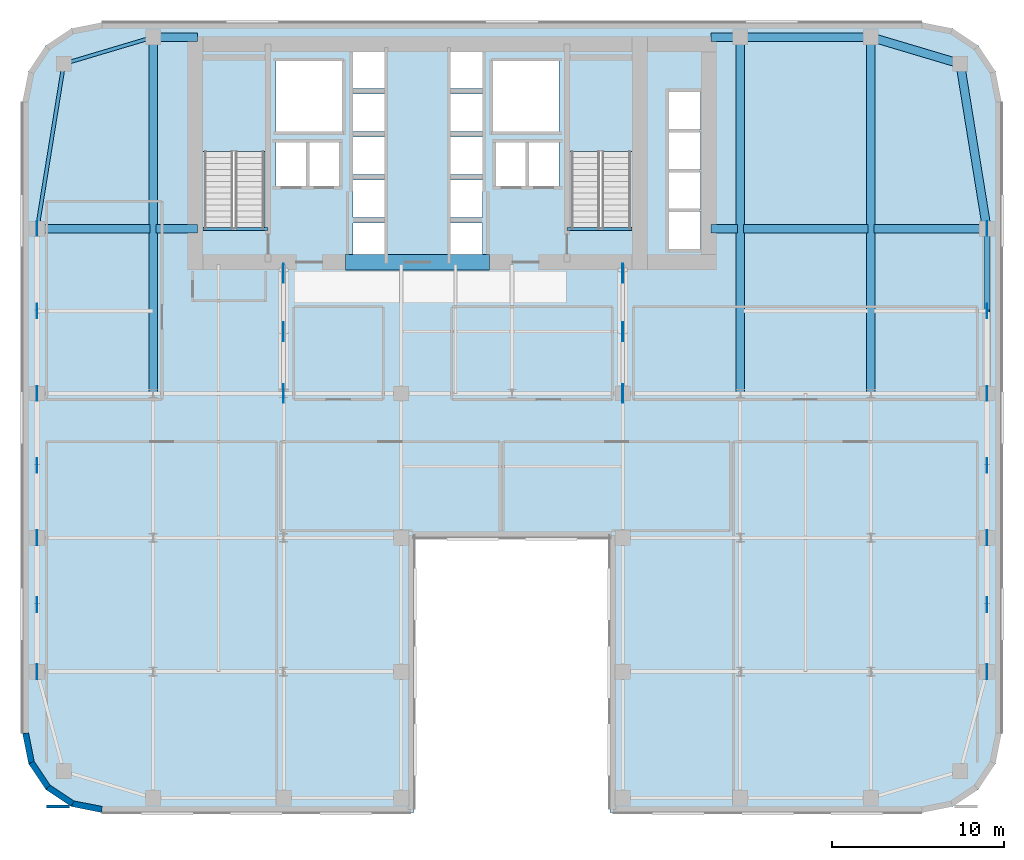
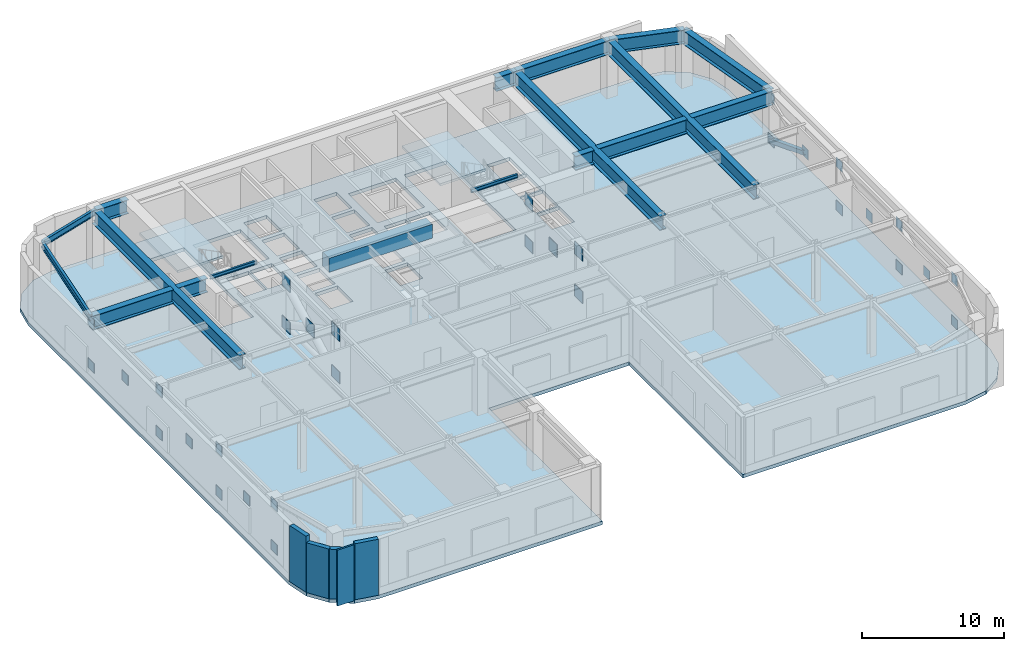
# One storey, part 3 of 11: 32 plates, 18 beams, 5 walls, 3 slabs, 1 member, 2 elements without a shape of their own.
"""IFC4 building model written with IfcOpenShell, lengths in metres."""

from ifc_helpers import new_model, si_unit, direction, frame, frame_2d, origin, origin_2d, place, context, subcontext, project, spatial, polyline, rectangle, hollow_rectangle, i_section, outline, extrude, source, transform, mapped, material, layer, layer_set, material_profile, profile_set, type_object, type_shapes, element, aggregate, save


model = new_model("IFC4")

# Units and contexts
model_context = context("Model", 3, precision=1e-05, world=origin(), true_north=direction((0.0, 1.0)))
body_context = subcontext(model_context, "Body", "Model", "MODEL_VIEW")
ifc_project = project(units=[si_unit("LENGTHUNIT", "METRE"), si_unit("AREAUNIT", "SQUARE_METRE"), si_unit("VOLUMEUNIT", "CUBIC_METRE"), si_unit("PLANEANGLEUNIT", "RADIAN"), si_unit("MASSUNIT", "GRAM", prefix="KILO")], contexts=[model_context])

# Site, building, storey
site_placement = place(None, origin())
site = spatial("IfcSite", under=ifc_project, at=site_placement, CompositionType="ELEMENT")
building_placement = place(site_placement, origin())
building = spatial("IfcBuilding", under=site, at=building_placement, Name="Tolvann Quenvar Hotel", CompositionType="ELEMENT")
storey_placement = place(building_placement, frame((0.0, 0.0, 95.89990234375)))
storey = spatial("IfcBuildingStorey", under=building, at=storey_placement, Name="L24", CompositionType="ELEMENT", Elevation=95.89990234375)

# Beams
ifc_material_1 = material(Name="Concrete S80 (80 MPa)", Category="concrete")
ifc_material_profile_1 = material_profile(ifc_material_1, rectangle(XDim=0.89990234375, YDim=1.199951171875, at=origin_2d()), Name="RC900x1200")
ifc_profile_set_1 = profile_set([ifc_material_profile_1], Name="Concrete S80 (80 MPa)")
beam_type_1 = type_object("IfcBeamType", Name="BM_LINT_RC900x1200", PredefinedType="LINTEL", material=ifc_profile_set_1)
shared_shape_1 = source(origin(), body_context, "Body", "SweptSolid", [
    extrude(rectangle(XDim=0.89990234375, YDim=1.199951171875, at=origin_2d()), origin(), (0.0, 0.0, 1.0), 8.39990234375),
])
type_shapes(beam_type_1, [shared_shape_1])
beam_1_placement = place(storey_placement, frame((18.800048828125, 32.050048828125, 4.22021484375), z_axis=(1.0, 0.0, 0.0), x_axis=(0.0, 1.0, 0.0)))
element("IfcBeam", 1, at=beam_1_placement, inside=storey, type_object=beam_type_1, Name="Core Coupling Lintel Beam (L24)", PredefinedType="LINTEL", context=body_context, shape_type="MappedRepresentation", body=[
    mapped(shared_shape_1, transform((0.0, 0.0, 0.0), x_axis=(1.0, 0.0, 0.0), y_axis=(0.0, 1.0, 0.0), z_axis=(0.0, 0.0, 1.0), scale=1.0)),
])
ifc_material_2 = material(Name="Steel Grade 350", Category="steel")
ifc_material_profile_2 = material_profile(ifc_material_2, i_section(OverallWidth=0.5, OverallDepth=1.199951171875, WebThickness=0.01611328125, FlangeThickness=0.0400390625, at=origin_2d()), Name="1200WB455")
ifc_profile_set_2 = profile_set([ifc_material_profile_2], Name="Steel Grade 350")
beam_type_2 = type_object("IfcBeamType", Name="BM_TG_1200WB455", PredefinedType="USERDEFINED", material=ifc_profile_set_2)
shared_shape_2 = source(origin(), body_context, "Body", "SweptSolid", [
    extrude(i_section(OverallWidth=0.5, OverallDepth=1.199951171875, WebThickness=0.01611328125, FlangeThickness=0.0400390625, at=origin_2d()), origin(), (0.0, 0.0, 1.0), 7.599853515625),
])
beam_2_placement = place(storey_placement, frame((49.39990234375, 45.14990234375, 4.22021484375), z_axis=(-1.0, 0.0, 0.0), x_axis=(0.0, -1.0, 0.0)))
element("IfcBeam", 2, at=beam_2_placement, inside=storey, type_object=beam_type_2, Name="BM-L24-FLK-E4", ObjectType="TRANSFER GIRDER", PredefinedType="USERDEFINED", context=body_context, shape_type="MappedRepresentation", body=[
    mapped(shared_shape_2, transform((0.0, 0.0, 0.0), x_axis=(1.0, 0.0, 0.0), y_axis=(0.0, 1.0, 0.0), z_axis=(0.0, 0.0, 1.0), scale=1.0)),
])
ifc_material_profile_3 = material_profile(ifc_material_2, i_section(OverallWidth=0.208984375, OverallDepth=0.528076171875, WebThickness=0.009521484375, FlangeThickness=0.01318359375, FilletRadius=0.013916015625, at=origin_2d()), Name="530UB82")
ifc_profile_set_3 = profile_set([ifc_material_profile_3], Name="Steel Grade 350")
beam_type_3 = type_object("IfcBeamType", Name="BM_SPAND_530UB82", PredefinedType="SPANDREL", material=ifc_profile_set_3)
shared_shape_3 = source(origin(), body_context, "Body", "SweptSolid", [
    extrude(i_section(OverallWidth=0.208984375, OverallDepth=0.528076171875, WebThickness=0.009521484375, FlangeThickness=0.01318359375, FilletRadius=0.013916015625, at=origin_2d()), origin(), (0.0, 0.0, 1.0), 5.42626953125),
])
beam_3_placement = place(storey_placement, frame((2.39990234375, 43.60009765625, 4.55615234375), z_axis=(0.958344815522, 0.285613750654, 0.0), x_axis=(-0.285613750654, 0.958344815522, 0.0)))
element("IfcBeam", 3, at=beam_3_placement, inside=storey, type_object=beam_type_3, Name="BM-L24-FLK-W3", PredefinedType="SPANDREL", context=body_context, shape_type="MappedRepresentation", body=[
    mapped(shared_shape_3, transform((0.0, 0.0, 0.0), x_axis=(1.0, 0.0, 0.0), y_axis=(0.0, 1.0, 0.0), z_axis=(0.0, 0.0, 1.0), scale=1.0)),
])
shared_shape_4 = source(origin(), body_context, "Body", "SweptSolid", [
    extrude(i_section(OverallWidth=0.208984375, OverallDepth=0.528076171875, WebThickness=0.009521484375, FlangeThickness=0.01318359375, FilletRadius=0.013916015625, at=origin_2d()), origin(), (0.0, 0.0, 1.0), 9.724365234375),
])
type_shapes(beam_type_3, [shared_shape_3, shared_shape_4])
beam_4_placement = place(storey_placement, frame((0.85009765625, 34.0, 4.55615234375), z_axis=(0.159372939192, 0.987218449105, 0.0), x_axis=(-0.987218449105, 0.159372939192, 0.0)))
element("IfcBeam", 4, at=beam_4_placement, inside=storey, type_object=beam_type_3, Name="BM-L24-FLK-W2", PredefinedType="SPANDREL", context=body_context, shape_type="MappedRepresentation", body=[
    mapped(shared_shape_4, transform((0.0, 0.0, 0.0), x_axis=(1.0, 0.0, 0.0), y_axis=(0.0, 1.0, 0.0), z_axis=(0.0, 0.0, 1.0), scale=1.0)),
])
shared_shape_5 = source(origin(), body_context, "Body", "SweptSolid", [
    extrude(i_section(OverallWidth=0.5, OverallDepth=1.199951171875, WebThickness=0.01611328125, FlangeThickness=0.0400390625, at=origin_2d()), origin(), (0.0, 0.0, 1.0), 20.75),
])
for number, where, z_axis, x_axis, name in (
    (5, (7.60009765625, 24.39990234375, 4.22021484375), (0.0, 1.0, 0.0), (-1.0, 0.0, 0.0), "BM-L24-FLK-WC"),
    (6, (41.800048828125, 24.39990234375, 4.22021484375), (0.0, 1.0, 0.0), (-1.0, 0.0, 0.0), "BM-L24-FLK-EH"),
    (7, (49.39990234375, 24.39990234375, 4.22021484375), (0.0, 1.0, 0.0), (-1.0, 0.0, 0.0), "BM-L24-FLK-EI"),
):
    element("IfcBeam", number, at=place(storey_placement, frame(where, z_axis=z_axis, x_axis=x_axis)), inside=storey, type_object=beam_type_2, Name=name, ObjectType="TRANSFER GIRDER", PredefinedType="USERDEFINED", context=body_context, shape_type="MappedRepresentation", body=[
        mapped(shared_shape_5, transform((0.0, 0.0, 0.0), x_axis=(1.0, 0.0, 0.0), y_axis=(0.0, 1.0, 0.0), z_axis=(0.0, 0.0, 1.0), scale=1.0)),
    ])
shared_shape_6 = source(origin(), body_context, "Body", "SweptSolid", [
    extrude(i_section(OverallWidth=0.5, OverallDepth=1.199951171875, WebThickness=0.01611328125, FlangeThickness=0.0400390625, at=origin_2d()), origin(), (0.0, 0.0, 1.0), 6.56982421875),
])
for number, where, z_axis, x_axis, name in (
    (8, (0.85009765625, 34.0, 4.22021484375), (1.0, 0.0, 0.0), (0.0, 1.0, 0.0), "BM-L24-CTW-MID1"),
    (9, (49.580078125, 34.0, 4.22021484375), (1.0, 0.0, 0.0), (0.0, 1.0, 0.0), "BM-L24-CTE-JD6C"),
):
    element("IfcBeam", number, at=place(storey_placement, frame(where, z_axis=z_axis, x_axis=x_axis)), inside=storey, type_object=beam_type_2, Name=name, ObjectType="TRANSFER GIRDER", PredefinedType="USERDEFINED", context=body_context, shape_type="MappedRepresentation", body=[
        mapped(shared_shape_6, transform((0.0, 0.0, 0.0), x_axis=(1.0, 0.0, 0.0), y_axis=(0.0, 1.0, 0.0), z_axis=(0.0, 0.0, 1.0), scale=1.0)),
    ])
shared_shape_7 = source(origin(), body_context, "Body", "SweptSolid", [
    extrude(i_section(OverallWidth=0.5, OverallDepth=1.199951171875, WebThickness=0.01611328125, FlangeThickness=0.0400390625, at=origin_2d()), origin(), (0.0, 0.0, 1.0), 2.419921875),
])
beam_5_placement = place(storey_placement, frame((7.780029296875, 34.0, 4.22021484375), z_axis=(1.0, 0.0, 0.0), x_axis=(0.0, 1.0, 0.0)))
element("IfcBeam", 10, at=beam_5_placement, inside=storey, type_object=beam_type_2, Name="BM-L24-CTW-MID2", ObjectType="TRANSFER GIRDER", PredefinedType="USERDEFINED", context=body_context, shape_type="MappedRepresentation", body=[
    mapped(shared_shape_7, transform((0.0, 0.0, 0.0), x_axis=(1.0, 0.0, 0.0), y_axis=(0.0, 1.0, 0.0), z_axis=(0.0, 0.0, 1.0), scale=1.0)),
])
shared_shape_8 = source(origin(), body_context, "Body", "SweptSolid", [
    extrude(i_section(OverallWidth=0.5, OverallDepth=1.199951171875, WebThickness=0.01611328125, FlangeThickness=0.0400390625, at=origin_2d()), origin(), (0.0, 0.0, 1.0), 2.599853515625),
])
beam_6_placement = place(storey_placement, frame((7.60009765625, 45.14990234375, 4.22021484375), z_axis=(1.0, 0.0, 0.0), x_axis=(0.0, 1.0, 0.0)))
element("IfcBeam", 11, at=beam_6_placement, inside=storey, type_object=beam_type_2, Name="BM-L24-CTW-CN", ObjectType="TRANSFER GIRDER", PredefinedType="USERDEFINED", context=body_context, shape_type="MappedRepresentation", body=[
    mapped(shared_shape_8, transform((0.0, 0.0, 0.0), x_axis=(1.0, 0.0, 0.0), y_axis=(0.0, 1.0, 0.0), z_axis=(0.0, 0.0, 1.0), scale=1.0)),
])
shared_shape_9 = source(origin(), body_context, "Body", "SweptSolid", [
    extrude(i_section(OverallWidth=0.5, OverallDepth=1.199951171875, WebThickness=0.01611328125, FlangeThickness=0.0400390625, at=origin_2d()), origin(), (0.0, 0.0, 1.0), 9.724365234375),
])
beam_7_placement = place(storey_placement, frame((56.14990234375, 34.0, 4.22021484375), z_axis=(-0.159372939192, 0.987218449105, 0.0), x_axis=(-0.987218449105, -0.159372939192, 0.0)))
element("IfcBeam", 12, at=beam_7_placement, inside=storey, type_object=beam_type_2, Name="BM-L24-FLK-E2", ObjectType="TRANSFER GIRDER", PredefinedType="USERDEFINED", context=body_context, shape_type="MappedRepresentation", body=[
    mapped(shared_shape_9, transform((0.0, 0.0, 0.0), x_axis=(1.0, 0.0, 0.0), y_axis=(0.0, 1.0, 0.0), z_axis=(0.0, 0.0, 1.0), scale=1.0)),
])
shared_shape_10 = source(origin(), body_context, "Body", "SweptSolid", [
    extrude(i_section(OverallWidth=0.5, OverallDepth=1.199951171875, WebThickness=0.01611328125, FlangeThickness=0.0400390625, at=origin_2d()), origin(), (0.0, 0.0, 1.0), 5.42626953125),
])
beam_8_placement = place(storey_placement, frame((54.60009765625, 43.60009765625, 4.22021484375), z_axis=(-0.958344815522, 0.285613750654, 0.0), x_axis=(-0.285613750654, -0.958344815522, 0.0)))
element("IfcBeam", 13, at=beam_8_placement, inside=storey, type_object=beam_type_2, Name="BM-L24-FLK-E3", ObjectType="TRANSFER GIRDER", PredefinedType="USERDEFINED", context=body_context, shape_type="MappedRepresentation", body=[
    mapped(shared_shape_10, transform((0.0, 0.0, 0.0), x_axis=(1.0, 0.0, 0.0), y_axis=(0.0, 1.0, 0.0), z_axis=(0.0, 0.0, 1.0), scale=1.0)),
])
shared_shape_11 = source(origin(), body_context, "Body", "SweptSolid", [
    extrude(i_section(OverallWidth=0.5, OverallDepth=1.199951171875, WebThickness=0.01611328125, FlangeThickness=0.0400390625, at=origin_2d()), origin(), (0.0, 0.0, 1.0), 1.699951171875),
])
beam_9_placement = place(storey_placement, frame((40.10009765625, 45.14990234375, 4.22021484375), z_axis=(1.0, 0.0, 0.0), x_axis=(0.0, 1.0, 0.0)))
element("IfcBeam", 14, at=beam_9_placement, inside=storey, type_object=beam_type_2, Name="BM-L24-CTE-HN", ObjectType="TRANSFER GIRDER", PredefinedType="USERDEFINED", context=body_context, shape_type="MappedRepresentation", body=[
    mapped(shared_shape_11, transform((0.0, 0.0, 0.0), x_axis=(1.0, 0.0, 0.0), y_axis=(0.0, 1.0, 0.0), z_axis=(0.0, 0.0, 1.0), scale=1.0)),
])
shared_shape_12 = source(origin(), body_context, "Body", "SweptSolid", [
    extrude(i_section(OverallWidth=0.5, OverallDepth=1.199951171875, WebThickness=0.01611328125, FlangeThickness=0.0400390625, at=origin_2d()), origin(), (0.0, 0.0, 1.0), 1.52001953125),
])
beam_10_placement = place(storey_placement, frame((40.10009765625, 34.0, 4.22021484375), z_axis=(1.0, 0.0, 0.0), x_axis=(0.0, 1.0, 0.0)))
element("IfcBeam", 15, at=beam_10_placement, inside=storey, type_object=beam_type_2, Name="BM-L24-CTE-JD6A", ObjectType="TRANSFER GIRDER", PredefinedType="USERDEFINED", context=body_context, shape_type="MappedRepresentation", body=[
    mapped(shared_shape_12, transform((0.0, 0.0, 0.0), x_axis=(1.0, 0.0, 0.0), y_axis=(0.0, 1.0, 0.0), z_axis=(0.0, 0.0, 1.0), scale=1.0)),
])
shared_shape_13 = source(origin(), body_context, "Body", "SweptSolid", [
    extrude(i_section(OverallWidth=0.5, OverallDepth=1.199951171875, WebThickness=0.01611328125, FlangeThickness=0.0400390625, at=origin_2d()), origin(), (0.0, 0.0, 1.0), 7.239990234375),
])
type_shapes(beam_type_2, [shared_shape_2, shared_shape_5, shared_shape_6, shared_shape_7, shared_shape_8, shared_shape_9, shared_shape_10, shared_shape_11, shared_shape_12, shared_shape_13])
beam_11_placement = place(storey_placement, frame((41.97998046875, 34.0, 4.22021484375), z_axis=(1.0, 0.0, 0.0), x_axis=(0.0, 1.0, 0.0)))
element("IfcBeam", 16, at=beam_11_placement, inside=storey, type_object=beam_type_2, Name="BM-L24-CTE-JD6B", ObjectType="TRANSFER GIRDER", PredefinedType="USERDEFINED", context=body_context, shape_type="MappedRepresentation", body=[
    mapped(shared_shape_13, transform((0.0, 0.0, 0.0), x_axis=(1.0, 0.0, 0.0), y_axis=(0.0, 1.0, 0.0), z_axis=(0.0, 0.0, 1.0), scale=1.0)),
])
ifc_material_profile_4 = material_profile(ifc_material_2, i_section(OverallWidth=0.166015625, OverallDepth=0.306884765625, WebThickness=0.006591796875, FlangeThickness=0.01171875, FilletRadius=0.011474609375, at=origin_2d()), Name="310UB46")
ifc_profile_set_4 = profile_set([ifc_material_profile_4], Name="Steel Grade 350")
beam_type_4 = type_object("IfcBeamType", Name="BM_JOIST_310UB46", PredefinedType="JOIST", material=ifc_profile_set_4)
shared_shape_14 = source(origin(), body_context, "Body", "SweptSolid", [
    extrude(i_section(OverallWidth=0.166015625, OverallDepth=0.306884765625, WebThickness=0.006591796875, FlangeThickness=0.01171875, FilletRadius=0.011474609375, at=origin_2d()), origin(), (0.0, 0.0, 1.0), 3.800048828125),
])
type_shapes(beam_type_4, [shared_shape_14])
for number, where, z_axis, x_axis, name in (
    (17, (10.5, 33.97998046875, 4.66650390625), (1.0, 0.0, 0.0), (0.0, 1.0, 0.0), "BM-HDR-STC1-L25"),
    (18, (31.699951171875, 33.97998046875, 4.66650390625), (1.0, 0.0, 0.0), (0.0, 1.0, 0.0), "BM-HDR-STC2-L25"),
):
    element("IfcBeam", number, at=place(storey_placement, frame(where, z_axis=z_axis, x_axis=x_axis)), inside=storey, type_object=beam_type_4, Name=name, PredefinedType="JOIST", context=body_context, shape_type="MappedRepresentation", body=[
        mapped(shared_shape_14, transform((0.0, 0.0, 0.0), x_axis=(1.0, 0.0, 0.0), y_axis=(0.0, 1.0, 0.0), z_axis=(0.0, 0.0, 1.0), scale=1.0)),
    ])

# Member
ifc_material_3 = material(Name="Steel Grade 450 (C450L0)", Category="steel")
ifc_material_profile_5 = material_profile(ifc_material_3, hollow_rectangle(XDim=0.35009765625, YDim=0.35009765625, WallThickness=0.01611328125, at=origin_2d()), Name="350x350x16SHS")
ifc_profile_set_5 = profile_set([ifc_material_profile_5], Name="Steel Grade 450 (C450L0)")
member_type = type_object("IfcMemberType", Name="MEM_BELT_350SHS", PredefinedType="BRACE", material=ifc_profile_set_5)
shared_shape_15 = source(origin(), body_context, "Body", "SweptSolid", [
    extrude(hollow_rectangle(XDim=0.35009765625, YDim=0.35009765625, WallThickness=0.01611328125, at=origin_2d()), origin(), (0.0, 0.0, 1.0), 5.147705078125),
])
type_shapes(member_type, [shared_shape_15])
member_placement = place(storey_placement, frame((56.14990234375, 34.0, 0.4501953125), z_axis=(0.0, -0.932451651097, 0.361294780431), x_axis=(1.0, 0.0, 0.0)))
element("IfcMember", 19, at=member_placement, inside=storey, type_object=member_type, Name="Belt Truss Split Brace Lower L24-E3B1", PredefinedType="BRACE", context=body_context, shape_type="MappedRepresentation", body=[
    mapped(shared_shape_15, transform((0.0, 0.0, 0.0), x_axis=(1.0, 0.0, 0.0), y_axis=(0.0, 1.0, 0.0), z_axis=(0.0, 0.0, 1.0), scale=1.0)),
])

# Stair, slab
ifc_material_4 = material(Name="Concrete N40 (40 MPa)", Category="concrete")
stair_type = type_object("IfcStairType", Name="STAIR", PredefinedType="HALF_TURN_STAIR", material=ifc_material_4)
stair_1_placement = place(storey_placement, origin())
stair_1 = element("IfcStair", 20, at=stair_1_placement, inside=storey, type_object=stair_type, Name="L24 ST-C1", PredefinedType="HALF_TURN_STAIR")
ifc_layer_1 = layer(ifc_material_4, 0.199951171875)
ifc_layer_set_1 = layer_set([ifc_layer_1], Name="Concrete N40 (40 MPa)")
slab_type_1 = type_object("IfcSlabType", Name="SLAB_LANDING", PredefinedType="LANDING", material=ifc_layer_set_1)
slab_1_placement = place(storey_placement, frame((0.0, 0.0, 2.300048828125)))
slab_1 = element("IfcSlab", 21, at=slab_1_placement, type_object=slab_type_1, Name="ST-C1 landing 1", PredefinedType="LANDING", context=body_context, shape_type="SweptSolid", body=[
    extrude(outline(polyline([(14.179931640625, 38.485107421875), (14.179931640625, 43.8798828125), (10.469970703125, 43.8798828125), (10.469970703125, 38.485107421875), (14.179931640625, 38.485107421875)])), origin(), (0.0, 0.0, 1.0), 0.199951171875),
])
aggregate(stair_1, [slab_1])

stair_2_placement = place(storey_placement, origin())
stair_2 = element("IfcStair", 22, at=stair_2_placement, inside=storey, type_object=stair_type, Name="L24 ST-C2", PredefinedType="HALF_TURN_STAIR")
slab_2_placement = place(storey_placement, frame((0.0, 0.0, 2.300048828125)))
slab_2 = element("IfcSlab", 23, at=slab_2_placement, type_object=slab_type_1, Name="ST-C2 landing 1", PredefinedType="LANDING", context=body_context, shape_type="SweptSolid", body=[
    extrude(outline(polyline([(35.530029296875, 38.485107421875), (35.530029296875, 43.8798828125), (31.820068359375, 43.8798828125), (31.820068359375, 38.485107421875), (35.530029296875, 38.485107421875)])), origin(), (0.0, 0.0, 1.0), 0.199951171875),
])
aggregate(stair_2, [slab_2])

# Slab
ifc_material_5 = material(Name="Concrete N50 (50 MPa)", Category="concrete")
ifc_layer_2 = layer(ifc_material_5, 0.300048828125)
ifc_layer_set_2 = layer_set([ifc_layer_2], Name="Concrete N50 (50 MPa)")
slab_type_2 = type_object("IfcSlabType", Name="SLAB_PLANT_300", PredefinedType="FLOOR", material=ifc_layer_set_2)
slab_3_placement = place(storey_placement, frame((0.0, 0.0, -0.2998046875)))
element("IfcSlab", 24, at=slab_3_placement, inside=storey, type_object=slab_type_2, Name="Level L24 Structural Floor Slab", PredefinedType="FLOOR", context=body_context, shape_type="SweptSolid", body=[
    extrude(outline(polyline([(0.0, 4.60009765625), (0.35009765625, 2.839599609375), (1.347412109375, 1.347412109375), (2.839599609375, 0.35009765625), (4.60009765625, 0.0), (22.800048828125, 0.0), (22.800048828125, 16.0), (34.199951171875, 16.0), (34.199951171875, 0.0), (52.39990234375, 0.0), (54.160400390625, 0.35009765625), (55.652587890625, 1.347412109375), (56.64990234375, 2.839599609375), (57.0, 4.60009765625), (57.0, 41.39990234375), (56.64990234375, 43.160400390625), (55.652587890625, 44.652587890625), (54.160400390625, 45.64990234375), (52.39990234375, 46.0), (4.60009765625, 46.0), (2.839599609375, 45.64990234375), (1.347412109375, 44.652587890625), (0.35009765625, 43.160400390625), (0.0, 41.39990234375), (0.0, 4.60009765625)]), holes=[polyline([(37.6298828125, 41.949951171875), (39.469970703125, 41.949951171875), (39.469970703125, 39.77001953125), (37.6298828125, 39.77001953125), (37.6298828125, 41.949951171875)]), polyline([(37.6298828125, 39.6298828125), (39.469970703125, 39.6298828125), (39.469970703125, 37.449951171875), (37.6298828125, 37.449951171875), (37.6298828125, 39.6298828125)]), polyline([(37.6298828125, 37.31005859375), (39.469970703125, 37.31005859375), (39.469970703125, 35.1298828125), (37.6298828125, 35.1298828125), (37.6298828125, 37.31005859375)]), polyline([(37.6298828125, 34.989990234375), (39.469970703125, 34.989990234375), (39.469970703125, 32.81005859375), (37.6298828125, 32.81005859375), (37.6298828125, 34.989990234375)]), polyline([(31.949951171875, 43.800048828125), (35.39990234375, 43.800048828125), (35.39990234375, 34.02490234375), (31.949951171875, 34.02490234375), (31.949951171875, 43.800048828125)]), polyline([(31.25, 39.02001953125), (31.25, 36.47998046875), (29.449951171875, 36.47998046875), (29.449951171875, 39.02001953125), (31.25, 39.02001953125)]), polyline([(31.25, 43.75), (31.25, 39.64990234375), (27.39990234375, 39.64990234375), (27.39990234375, 43.75), (31.25, 43.75)]), polyline([(27.574951171875, 39.02001953125), (29.324951171875, 39.02001953125), (29.324951171875, 36.47998046875), (27.574951171875, 36.47998046875), (27.574951171875, 39.02001953125)]), polyline([(26.77001953125, 36.840087890625), (26.77001953125, 34.659912109375), (24.929931640625, 34.659912109375), (24.929931640625, 36.840087890625), (26.77001953125, 36.840087890625)]), polyline([(26.77001953125, 44.340087890625), (26.77001953125, 42.159912109375), (24.929931640625, 42.159912109375), (24.929931640625, 44.340087890625), (26.77001953125, 44.340087890625)]), polyline([(26.77001953125, 41.840087890625), (26.77001953125, 39.659912109375), (24.929931640625, 39.659912109375), (24.929931640625, 41.840087890625), (26.77001953125, 41.840087890625)]), polyline([(26.77001953125, 39.340087890625), (26.77001953125, 37.159912109375), (24.929931640625, 37.159912109375), (24.929931640625, 39.340087890625), (26.77001953125, 39.340087890625)]), polyline([(24.929931640625, 34.340087890625), (26.77001953125, 34.340087890625), (26.77001953125, 32.159912109375), (24.929931640625, 32.159912109375), (24.929931640625, 34.340087890625)]), polyline([(21.070068359375, 44.340087890625), (21.070068359375, 42.159912109375), (19.22998046875, 42.159912109375), (19.22998046875, 44.340087890625), (21.070068359375, 44.340087890625)]), polyline([(19.22998046875, 41.840087890625), (21.070068359375, 41.840087890625), (21.070068359375, 39.659912109375), (19.22998046875, 39.659912109375), (19.22998046875, 41.840087890625)]), polyline([(21.070068359375, 39.340087890625), (21.070068359375, 37.159912109375), (19.22998046875, 37.159912109375), (19.22998046875, 39.340087890625), (21.070068359375, 39.340087890625)]), polyline([(19.22998046875, 36.840087890625), (21.070068359375, 36.840087890625), (21.070068359375, 34.659912109375), (19.22998046875, 34.659912109375), (19.22998046875, 36.840087890625)]), polyline([(19.22998046875, 34.340087890625), (21.070068359375, 34.340087890625), (21.070068359375, 32.159912109375), (19.22998046875, 32.159912109375), (19.22998046875, 34.340087890625)]), polyline([(18.60009765625, 43.75), (18.60009765625, 39.64990234375), (14.75, 39.64990234375), (14.75, 43.75), (18.60009765625, 43.75)]), polyline([(16.675048828125, 39.02001953125), (18.425048828125, 39.02001953125), (18.425048828125, 36.47998046875), (16.675048828125, 36.47998046875), (16.675048828125, 39.02001953125)]), polyline([(16.550048828125, 39.02001953125), (16.550048828125, 36.47998046875), (14.75, 36.47998046875), (14.75, 39.02001953125), (16.550048828125, 39.02001953125)]), polyline([(10.60009765625, 43.800048828125), (14.050048828125, 43.800048828125), (14.050048828125, 34.02490234375), (10.60009765625, 34.02490234375), (10.60009765625, 43.800048828125)])]), origin(), (0.0, 0.0, 1.0), 0.2998046875),
])

# Plates
ifc_layer_3 = layer(ifc_material_2, 0.0400390625)
ifc_layer_set_3 = layer_set([ifc_layer_3], Name="Steel Grade 350")
plate_type_1 = type_object("IfcPlateType", Name="PLT_GUSSET_40", PredefinedType="USERDEFINED", material=ifc_layer_set_3)
shared_shape_16 = source(origin(), body_context, "Body", "SweptSolid", [
    extrude(rectangle(XDim=0.0400390625, YDim=1.10009765625, at=origin_2d()), origin(), (0.0, 0.0, 1.0), 1.10009765625),
])
type_shapes(plate_type_1, [shared_shape_16])
for number, where, z_axis, x_axis, name in (
    (25, (15.199951171875, 28.0, 1.760009765625), (0.0, 0.0, 1.0), (1.0, 0.0, 0.0), "Outrigger X-Crossing Gusset Plate ON2 (L24-1)"),
    (26, (15.199951171875, 31.39990234375, -0.099853515625), (0.0, 0.0, 1.0), (1.0, 0.0, 0.0), "Outrigger Node Gusset Plate ON1 (L24-1-1)"),
    (27, (15.199951171875, 31.39990234375, 3.6201171875), (0.0, 0.0, 1.0), (1.0, 0.0, 0.0), "Outrigger Node Gusset Plate ON1 (L24-1-2)"),
    (28, (15.199951171875, 24.39990234375, -0.099853515625), (0.0, 0.0, 1.0), (1.0, 0.0, 0.0), "Outrigger Node Gusset Plate ON1 (L24-1-3)"),
    (29, (15.199951171875, 24.39990234375, 3.6201171875), (0.0, 0.0, 1.0), (1.0, 0.0, 0.0), "Outrigger Node Gusset Plate ON1 (L24-1-4)"),
    (30, (34.949951171875, 28.0, 1.760009765625), (0.0, 0.0, 1.0), (1.0, 0.0, 0.0), "Outrigger X-Crossing Gusset Plate ON2 (L24-2)"),
    (31, (34.949951171875, 31.39990234375, -0.099853515625), (0.0, 0.0, 1.0), (1.0, 0.0, 0.0), "Outrigger Node Gusset Plate ON1 (L24-2-1)"),
    (32, (34.949951171875, 31.39990234375, 3.6201171875), (0.0, 0.0, 1.0), (1.0, 0.0, 0.0), "Outrigger Node Gusset Plate ON1 (L24-2-2)"),
    (33, (34.949951171875, 24.39990234375, -0.099853515625), (0.0, 0.0, 1.0), (1.0, 0.0, 0.0), "Outrigger Node Gusset Plate ON1 (L24-2-3)"),
    (34, (34.949951171875, 24.39990234375, 3.6201171875), (0.0, 0.0, 1.0), (1.0, 0.0, 0.0), "Outrigger Node Gusset Plate ON1 (L24-2-4)"),
):
    element("IfcPlate", number, at=place(storey_placement, frame(where, z_axis=z_axis, x_axis=x_axis)), inside=storey, type_object=plate_type_1, Name=name, ObjectType="GUSSET PLATE", PredefinedType="USERDEFINED", context=body_context, shape_type="MappedRepresentation", body=[
        mapped(shared_shape_16, transform((0.0, 0.0, 0.0), x_axis=(1.0, 0.0, 0.0), y_axis=(0.0, 1.0, 0.0), z_axis=(0.0, 0.0, 1.0), scale=1.0)),
    ])
ifc_layer_4 = layer(ifc_material_2, 0.031982421875)
ifc_layer_set_4 = layer_set([ifc_layer_4], Name="Steel Grade 350")
plate_type_2 = type_object("IfcPlateType", Name="PLT_GUSSET_32", PredefinedType="USERDEFINED", material=ifc_layer_set_4)
shared_shape_17 = source(origin(), body_context, "Body", "SweptSolid", [
    extrude(rectangle(XDim=0.031982421875, YDim=0.85009765625, at=origin_2d()), origin(), (0.0, 0.0, 1.0), 0.85009765625),
])
type_shapes(plate_type_2, [shared_shape_17])
for number, where, z_axis, x_axis, name in (
    (35, (0.85009765625, 12.10009765625, 1.885009765625), (0.0, 0.0, 1.0), (1.0, 0.0, 0.0), "Belt Truss X-Crossing Gusset Plate BN2 (L24-W1)"),
    (36, (0.85009765625, 8.199951171875, 0.025146484375), (0.0, 0.0, 1.0), (1.0, 0.0, 0.0), "Belt Truss Node Gusset Plate BN1 (L24-W1-1)"),
    (37, (0.85009765625, 8.199951171875, 3.7451171875), (0.0, 0.0, 1.0), (1.0, 0.0, 0.0), "Belt Truss Node Gusset Plate BN1 (L24-W1-2)"),
    (38, (56.14990234375, 12.10009765625, 1.885009765625), (0.0, 0.0, 1.0), (1.0, 0.0, 0.0), "Belt Truss X-Crossing Gusset Plate BN2 (L24-E1)"),
    (39, (56.14990234375, 8.199951171875, 0.025146484375), (0.0, 0.0, 1.0), (1.0, 0.0, 0.0), "Belt Truss Node Gusset Plate BN1 (L24-E1-1)"),
    (40, (56.14990234375, 8.199951171875, 3.7451171875), (0.0, 0.0, 1.0), (1.0, 0.0, 0.0), "Belt Truss Node Gusset Plate BN1 (L24-E1-2)"),
    (41, (0.85009765625, 20.199951171875, 1.885009765625), (0.0, 0.0, 1.0), (1.0, 0.0, 0.0), "Belt Truss X-Crossing Gusset Plate BN2 (L24-W2)"),
    (42, (0.85009765625, 16.0, 0.025146484375), (0.0, 0.0, 1.0), (1.0, 0.0, 0.0), "Belt Truss Node Gusset Plate BN1 (L24-W2-1)"),
    (43, (0.85009765625, 16.0, 3.7451171875), (0.0, 0.0, 1.0), (1.0, 0.0, 0.0), "Belt Truss Node Gusset Plate BN1 (L24-W2-2)"),
    (44, (56.14990234375, 20.199951171875, 1.885009765625), (0.0, 0.0, 1.0), (1.0, 0.0, 0.0), "Belt Truss X-Crossing Gusset Plate BN2 (L24-E2)"),
    (45, (56.14990234375, 16.0, 0.025146484375), (0.0, 0.0, 1.0), (1.0, 0.0, 0.0), "Belt Truss Node Gusset Plate BN1 (L24-E2-1)"),
    (46, (56.14990234375, 16.0, 3.7451171875), (0.0, 0.0, 1.0), (1.0, 0.0, 0.0), "Belt Truss Node Gusset Plate BN1 (L24-E2-2)"),
    (47, (0.85009765625, 29.199951171875, 1.885009765625), (0.0, 0.0, 1.0), (1.0, 0.0, 0.0), "Belt Truss X-Crossing Gusset Plate BN2 (L24-W3)"),
    (48, (0.85009765625, 24.39990234375, 0.025146484375), (0.0, 0.0, 1.0), (1.0, 0.0, 0.0), "Belt Truss Node Gusset Plate BN1 (L24-W3-1)"),
    (49, (0.85009765625, 24.39990234375, 3.7451171875), (0.0, 0.0, 1.0), (1.0, 0.0, 0.0), "Belt Truss Node Gusset Plate BN1 (L24-W3-2)"),
    (50, (0.85009765625, 34.0, 0.025146484375), (0.0, 0.0, 1.0), (1.0, 0.0, 0.0), "Belt Truss Node Gusset Plate BN1 (L24-W3-3)"),
    (51, (0.85009765625, 34.0, 3.7451171875), (0.0, 0.0, 1.0), (1.0, 0.0, 0.0), "Belt Truss Node Gusset Plate BN1 (L24-W3-4)"),
    (52, (56.14990234375, 29.199951171875, 1.885009765625), (0.0, 0.0, 1.0), (1.0, 0.0, 0.0), "Belt Truss X-Crossing Gusset Plate BN2 (L24-E3)"),
    (53, (56.14990234375, 24.39990234375, 0.025146484375), (0.0, 0.0, 1.0), (1.0, 0.0, 0.0), "Belt Truss Node Gusset Plate BN1 (L24-E3-1)"),
    (54, (56.14990234375, 24.39990234375, 3.7451171875), (0.0, 0.0, 1.0), (1.0, 0.0, 0.0), "Belt Truss Node Gusset Plate BN1 (L24-E3-2)"),
    (55, (56.14990234375, 34.0, 0.025146484375), (0.0, 0.0, 1.0), (1.0, 0.0, 0.0), "Belt Truss Node Gusset Plate BN1 (L24-E3-3)"),
    (56, (56.14990234375, 34.0, 3.7451171875), (0.0, 0.0, 1.0), (1.0, 0.0, 0.0), "Belt Truss Node Gusset Plate BN1 (L24-E3-4)"),
):
    element("IfcPlate", number, at=place(storey_placement, frame(where, z_axis=z_axis, x_axis=x_axis)), inside=storey, type_object=plate_type_2, Name=name, ObjectType="GUSSET PLATE", PredefinedType="USERDEFINED", context=body_context, shape_type="MappedRepresentation", body=[
        mapped(shared_shape_17, transform((0.0, 0.0, 0.0), x_axis=(1.0, 0.0, 0.0), y_axis=(0.0, 1.0, 0.0), z_axis=(0.0, 0.0, 1.0), scale=1.0)),
    ])

# Walls
ifc_material_6 = material(Name="Kiln-fired red and buff architectural clay brickwork and terracotta masonry", Category="masonry")
ifc_layer_5 = layer(ifc_material_6, 0.35009765625)
ifc_layer_set_5 = layer_set([ifc_layer_5], Name="Kiln-fired red and buff architectural clay brickwork and terracotta masonry")
wall_type_1 = type_object("IfcWallType", Name="WALL_EXT_BRICK_350", PredefinedType="SOLIDWALL", material=ifc_layer_set_5)
for number, where, z_axis, x_axis, name in (
    (57, (0.514892578125, 2.907958984375, 0.0), (0.0, 0.0, 1.0), (0.55554893791, -0.831483840845, 0.0), "Exterior Chicago Brick Wall L24-E01"),
    (58, (1.473388671875, 1.473388671875, 0.0), (0.0, 0.0, 1.0), (0.831483840845, -0.55554893791, 0.0), "Exterior Chicago Brick Wall L24-E02"),
):
    element("IfcWall", number, at=place(storey_placement, frame(where, z_axis=z_axis, x_axis=x_axis)), inside=storey, type_object=wall_type_1, Name=name, PredefinedType="SOLIDWALL", context=body_context, shape_type="SweptSolid", body=[
        extrude(rectangle(XDim=1.725341796875, YDim=0.35009765625, at=frame_2d((0.86279296875, 0.0))), origin(), (0.0, 0.0, 1.0), 4.281982421875),
    ])
for number, where, z_axis, x_axis, name in (
    (59, (2.907958984375, 0.514892578125, 0.0), (0.0, 0.0, 1.0), (0.980800971659, -0.195011420161, 0.0), "Exterior Chicago Brick Wall L24-E03"),
    (60, (0.175048828125, 4.6171875, 0.0), (0.0, 0.0, 1.0), (0.195011420161, -0.980800971659, 0.0), "Exterior Chicago Brick Wall L24-E24"),
):
    element("IfcWall", number, at=place(storey_placement, frame(where, z_axis=z_axis, x_axis=x_axis)), inside=storey, type_object=wall_type_1, Name=name, PredefinedType="SOLIDWALL", context=body_context, shape_type="SweptSolid", body=[
        extrude(rectangle(XDim=1.74267578125, YDim=0.35009765625, at=frame_2d((0.871337890625, 0.0))), origin(), (0.0, 0.0, 1.0), 4.820068359375),
    ])
ifc_material_7 = material(Name="Acoustic twin-stud fire-rated gypsum plasterboard partition")
ifc_layer_6 = layer(ifc_material_7, 0.14990234375)
ifc_layer_set_6 = layer_set([ifc_layer_6], Name="Acoustic twin-stud fire-rated gypsum plasterboard partition")
wall_type_2 = type_object("IfcWallType", Name="WALL_PART_SUITE_150", PredefinedType="PARTITIONING", material=ifc_layer_set_6)
wall_placement = place(storey_placement, frame((1.39990234375, 0.35009765625, 0.0), z_axis=(0.0, 0.0, 1.0), x_axis=(1.0, 0.0, 0.0)))
element("IfcWall", 61, at=wall_placement, inside=storey, type_object=wall_type_2, Name="Interior Partition PT-SPC-L24-CHIL-S", PredefinedType="PARTITIONING", context=body_context, shape_type="SweptSolid", body=[
    extrude(rectangle(XDim=1.341064453125, YDim=0.14990234375, at=frame_2d((0.67041015625, 0.0))), origin(), (0.0, 0.0, 1.0), 4.820068359375),
])

save(model, "model.ifc")
